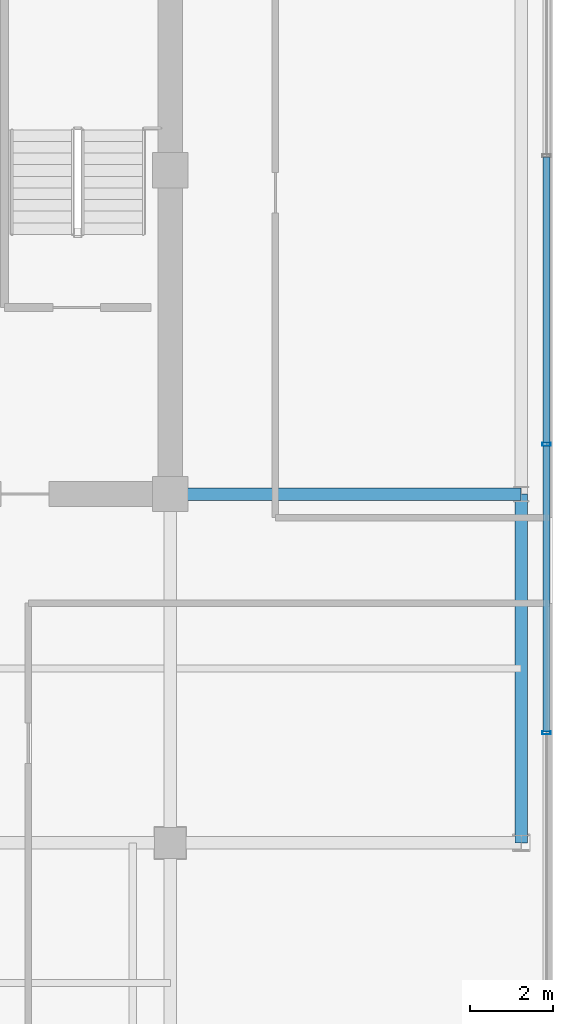
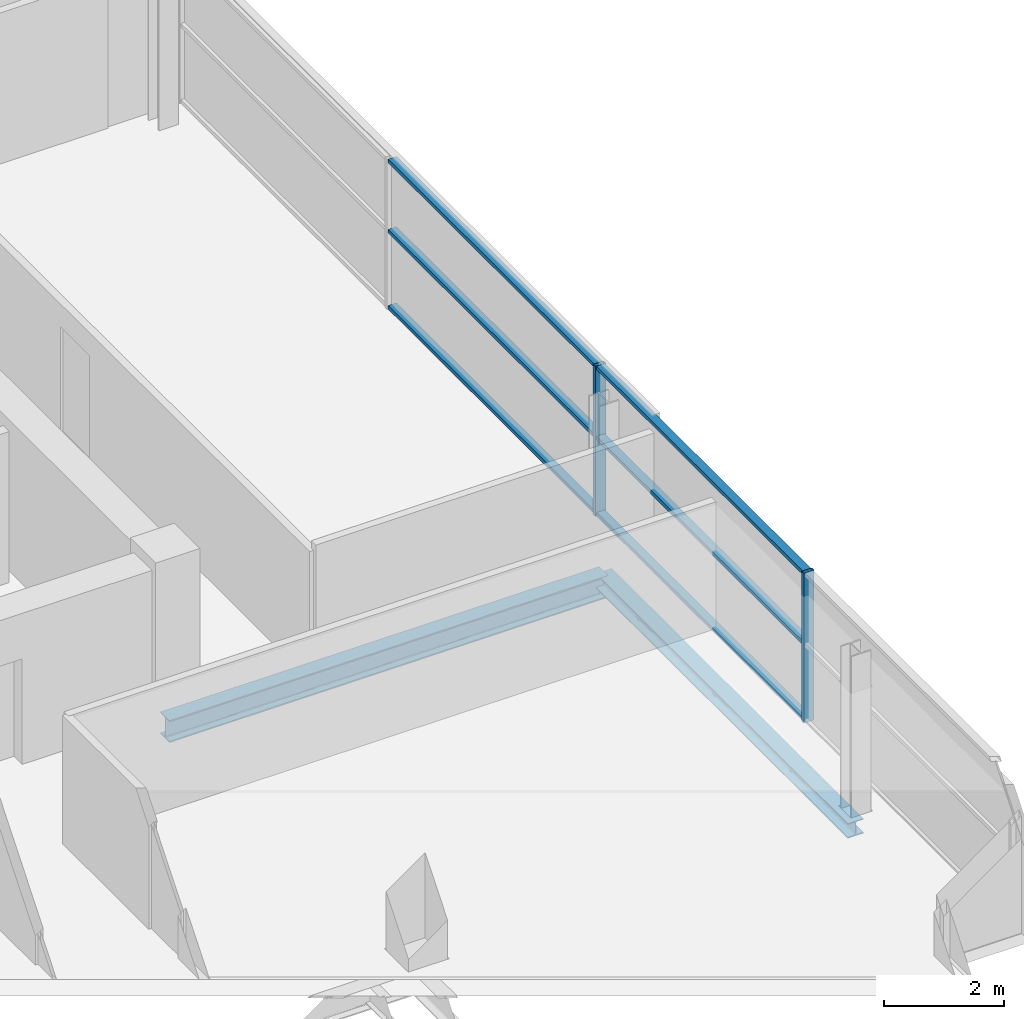
# One storey, part 9 of 24: 8 members, 2 beams, 1 element without a shape of its own.
"""IFC4 building model written with IfcOpenShell, lengths in metres."""

from ifc_helpers import new_model, si_unit, direction, frame, origin, origin_2d, place, context, subcontext, project, spatial, hollow_rectangle, i_section, extrude, source, transform, mapped, material, layer, layer_set, material_profile, profile_set, type_object, element, aggregate, save


model = new_model("IFC4")

# Units and contexts
model_context = context("Model", 3, precision=1e-05, world=origin(), true_north=direction((0.0, 1.0)))
body_context = subcontext(model_context, "Body", "Model", "MODEL_VIEW")
ifc_project = project(units=[si_unit("LENGTHUNIT", "METRE"), si_unit("AREAUNIT", "SQUARE_METRE"), si_unit("VOLUMEUNIT", "CUBIC_METRE"), si_unit("PLANEANGLEUNIT", "RADIAN"), si_unit("MASSUNIT", "GRAM", prefix="KILO")], contexts=[model_context])

# Site, building, storey
site_placement = place(None, origin())
site = spatial("IfcSite", under=ifc_project, at=site_placement, CompositionType="ELEMENT")
building_placement = place(site_placement, origin())
building = spatial("IfcBuilding", under=site, at=building_placement, Name="Zarnakvel Exchange Tower", CompositionType="ELEMENT")
storey_placement = place(building_placement, frame((0.0, 0.0, 235.300048828125)))
storey = spatial("IfcBuildingStorey", under=building, at=storey_placement, Name="L66", CompositionType="ELEMENT", Elevation=235.300048828125)

# Beams
ifc_material_1 = material(Name="Steel S355", Category="steel")
ifc_material_profile_1 = material_profile(ifc_material_1, i_section(OverallWidth=0.300048828125, OverallDepth=0.449951171875, WebThickness=0.013916015625, FlangeThickness=0.02587890625, FilletRadius=0.027099609375, at=origin_2d()))
ifc_profile_set_1 = profile_set([ifc_material_profile_1], Name="Steel S355")
beam_type_1 = type_object("IfcBeamType", Name="G-07", PredefinedType="BEAM", material=ifc_profile_set_1)
beam_1_placement = place(storey_placement, frame((14.39990234375, -1.199951171875, -0.449951171875), z_axis=(1.0, 0.0, 0.0), x_axis=(0.0, 1.0, 0.0)))
element("IfcBeam", 1, at=beam_1_placement, inside=storey, type_object=beam_type_1, Name="L66 Tower E-W Frame Beam", PredefinedType="BEAM", context=body_context, shape_type="SweptSolid", body=[
    extrude(i_section(OverallWidth=0.300048828125, OverallDepth=0.449951171875, WebThickness=0.013916015625, FlangeThickness=0.02587890625, FilletRadius=0.027099609375, at=origin_2d()), origin(), (0.0, 0.0, 1.0), 8.4501953125),
])
ifc_material_profile_2 = material_profile(ifc_material_1, i_section(OverallWidth=0.300048828125, OverallDepth=0.300048828125, WebThickness=0.010986328125, FlangeThickness=0.01904296875, FilletRadius=0.027099609375, at=origin_2d()))
ifc_profile_set_2 = profile_set([ifc_material_profile_2], Name="Steel S355")
beam_type_2 = type_object("IfcBeamType", Name="SP-03", PredefinedType="SPANDREL", material=ifc_profile_set_2)
beam_2_placement = place(storey_placement, frame((22.85009765625, -9.60009765625, -0.375), z_axis=(0.0, 1.0, 0.0), x_axis=(-1.0, 0.0, 0.0)))
element("IfcBeam", 2, at=beam_2_placement, inside=storey, type_object=beam_type_2, Name="L66 Tower N-S Frame Beam", PredefinedType="SPANDREL", context=body_context, shape_type="SweptSolid", body=[
    extrude(i_section(OverallWidth=0.300048828125, OverallDepth=0.300048828125, WebThickness=0.010986328125, FlangeThickness=0.01904296875, FilletRadius=0.027099609375, at=origin_2d()), origin(), (0.0, 0.0, 1.0), 8.400146484375),
])

# Curtain wall, members
ifc_material_2 = material(Name="Architectural Bronze Anodised Aluminium", Category="aluminium")
ifc_layer = layer(ifc_material_2, 0.199951171875)
ifc_layer_set = layer_set([ifc_layer], Name="Architectural Bronze Anodised Aluminium")
curtain_wall_type = type_object("IfcCurtainWallType", Name="CW-04", PredefinedType="NOTDEFINED", material=ifc_layer_set)
curtain_wall_placement = place(storey_placement, origin())
curtain_wall = element("IfcCurtainWall", 3, at=curtain_wall_placement, inside=storey, type_object=curtain_wall_type, Name="L66 Curtain Wall CW-L66-E1 (CW-04)", PredefinedType="NOTDEFINED")
ifc_material_profile_3 = material_profile(ifc_material_2, hollow_rectangle(XDim=0.199951171875, YDim=0.074951171875, WallThickness=0.0048828125, at=origin_2d()))
ifc_profile_set_3 = profile_set([ifc_material_profile_3], Name="Architectural Bronze Anodised Aluminium")
member_type_1 = type_object("IfcMemberType", Name="CWM-04", PredefinedType="MULLION", material=ifc_profile_set_3)
shared_shape_1 = source(origin(), body_context, "Body", "SweptSolid", [
    extrude(hollow_rectangle(XDim=0.199951171875, YDim=0.074951171875, WallThickness=0.0048828125, at=origin_2d()), origin(), (0.0, 0.0, 1.0), 3.054931640625),
])
member_1_placement = place(storey_placement, frame((23.4599609375, -6.949951171875, 0.0), z_axis=(0.0, 0.0, 1.0), x_axis=(-1.0, 0.0, 0.0)))
member_1 = element("IfcMember", 4, at=member_1_placement, type_object=member_type_1, Name="CW-04 mullion 2", PredefinedType="MULLION", context=body_context, shape_type="MappedRepresentation", body=[
    mapped(shared_shape_1, transform((0.0, 0.0, 0.0), x_axis=(1.0, 0.0, 0.0), y_axis=(0.0, 1.0, 0.0), z_axis=(0.0, 0.0, 1.0), scale=1.0)),
])
member_2_placement = place(storey_placement, frame((23.4599609375, 0.0, 0.0), z_axis=(0.0, 0.0, 1.0), x_axis=(-1.0, 0.0, 0.0)))
member_2 = element("IfcMember", 5, at=member_2_placement, type_object=member_type_1, Name="CW-04 mullion 3", PredefinedType="MULLION", context=body_context, shape_type="MappedRepresentation", body=[
    mapped(shared_shape_1, transform((0.0, 0.0, 0.0), x_axis=(1.0, 0.0, 0.0), y_axis=(0.0, 1.0, 0.0), z_axis=(0.0, 0.0, 1.0), scale=1.0)),
])
ifc_material_profile_4 = material_profile(ifc_material_2, hollow_rectangle(XDim=0.159912109375, YDim=0.074951171875, WallThickness=0.00390625, at=origin_2d()))
ifc_profile_set_4 = profile_set([ifc_material_profile_4], Name="Architectural Bronze Anodised Aluminium")
member_type_2 = type_object("IfcMemberType", Name="CWT-04", PredefinedType="USERDEFINED", material=ifc_profile_set_4)
shared_shape_2 = source(origin(), body_context, "Body", "SweptSolid", [
    extrude(hollow_rectangle(XDim=0.159912109375, YDim=0.074951171875, WallThickness=0.00390625, at=origin_2d()), origin(), (0.0, 0.0, 1.0), 6.875),
])
member_3_placement = place(storey_placement, frame((23.4599609375, -6.91259765625, 0.037353515625), z_axis=(0.0, 1.0, 0.0), x_axis=(-1.0, 0.0, 0.0)))
member_3 = element("IfcMember", 6, at=member_3_placement, type_object=member_type_2, Name="CW-04 transom 2.1", ObjectType="TRANSOM", PredefinedType="USERDEFINED", context=body_context, shape_type="MappedRepresentation", body=[
    mapped(shared_shape_2, transform((0.0, 0.0, 0.0), x_axis=(1.0, 0.0, 0.0), y_axis=(0.0, 1.0, 0.0), z_axis=(0.0, 0.0, 1.0), scale=1.0)),
])
member_4_placement = place(storey_placement, frame((23.4599609375, -6.91259765625, 1.588623046875), z_axis=(0.0, 1.0, 0.0), x_axis=(-1.0, 0.0, 0.0)))
member_4 = element("IfcMember", 7, at=member_4_placement, type_object=member_type_2, Name="CW-04 transom 2.2", ObjectType="TRANSOM", PredefinedType="USERDEFINED", context=body_context, shape_type="MappedRepresentation", body=[
    mapped(shared_shape_2, transform((0.0, 0.0, 0.0), x_axis=(1.0, 0.0, 0.0), y_axis=(0.0, 1.0, 0.0), z_axis=(0.0, 0.0, 1.0), scale=1.0)),
])
member_5_placement = place(storey_placement, frame((23.4599609375, -6.91259765625, 3.017333984375), z_axis=(0.0, 1.0, 0.0), x_axis=(-1.0, 0.0, 0.0)))
member_5 = element("IfcMember", 8, at=member_5_placement, type_object=member_type_2, Name="CW-04 transom 2.3", ObjectType="TRANSOM", PredefinedType="USERDEFINED", context=body_context, shape_type="MappedRepresentation", body=[
    mapped(shared_shape_2, transform((0.0, 0.0, 0.0), x_axis=(1.0, 0.0, 0.0), y_axis=(0.0, 1.0, 0.0), z_axis=(0.0, 0.0, 1.0), scale=1.0)),
])
member_6_placement = place(storey_placement, frame((23.4599609375, 0.03759765625, 0.037353515625), z_axis=(0.0, 1.0, 0.0), x_axis=(-1.0, 0.0, 0.0)))
member_6 = element("IfcMember", 9, at=member_6_placement, type_object=member_type_2, Name="CW-04 transom 3.1", ObjectType="TRANSOM", PredefinedType="USERDEFINED", context=body_context, shape_type="MappedRepresentation", body=[
    mapped(shared_shape_2, transform((0.0, 0.0, 0.0), x_axis=(1.0, 0.0, 0.0), y_axis=(0.0, 1.0, 0.0), z_axis=(0.0, 0.0, 1.0), scale=1.0)),
])
member_7_placement = place(storey_placement, frame((23.4599609375, 0.03759765625, 1.588623046875), z_axis=(0.0, 1.0, 0.0), x_axis=(-1.0, 0.0, 0.0)))
member_7 = element("IfcMember", 10, at=member_7_placement, type_object=member_type_2, Name="CW-04 transom 3.2", ObjectType="TRANSOM", PredefinedType="USERDEFINED", context=body_context, shape_type="MappedRepresentation", body=[
    mapped(shared_shape_2, transform((0.0, 0.0, 0.0), x_axis=(1.0, 0.0, 0.0), y_axis=(0.0, 1.0, 0.0), z_axis=(0.0, 0.0, 1.0), scale=1.0)),
])
member_8_placement = place(storey_placement, frame((23.4599609375, 0.03759765625, 3.017333984375), z_axis=(0.0, 1.0, 0.0), x_axis=(-1.0, 0.0, 0.0)))
member_8 = element("IfcMember", 11, at=member_8_placement, type_object=member_type_2, Name="CW-04 transom 3.3", ObjectType="TRANSOM", PredefinedType="USERDEFINED", context=body_context, shape_type="MappedRepresentation", body=[
    mapped(shared_shape_2, transform((0.0, 0.0, 0.0), x_axis=(1.0, 0.0, 0.0), y_axis=(0.0, 1.0, 0.0), z_axis=(0.0, 0.0, 1.0), scale=1.0)),
])
aggregate(curtain_wall, [member_1, member_2, member_3, member_4, member_5, member_6, member_7, member_8])

save(model, "model.ifc")
